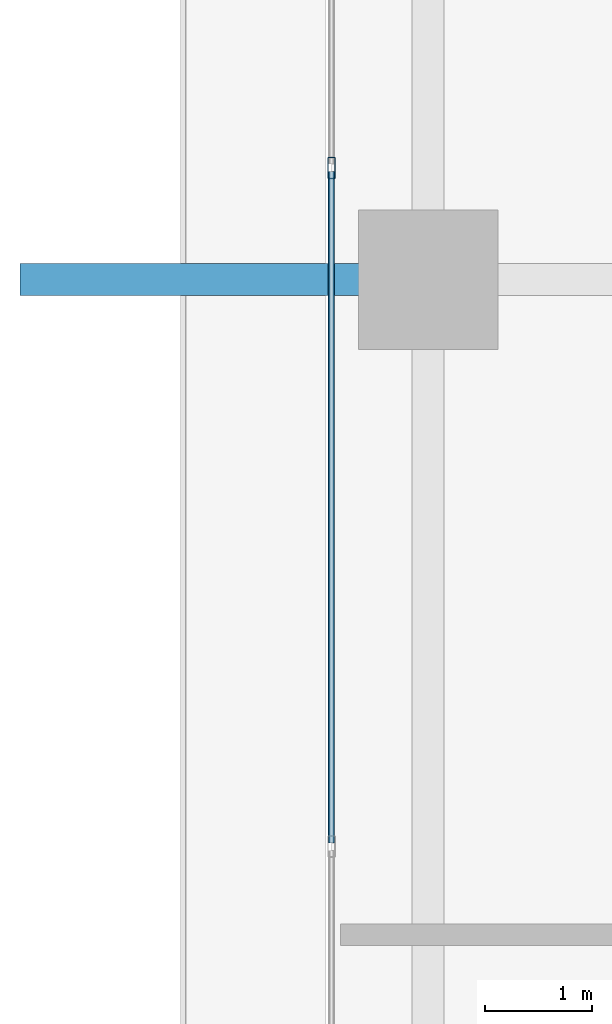
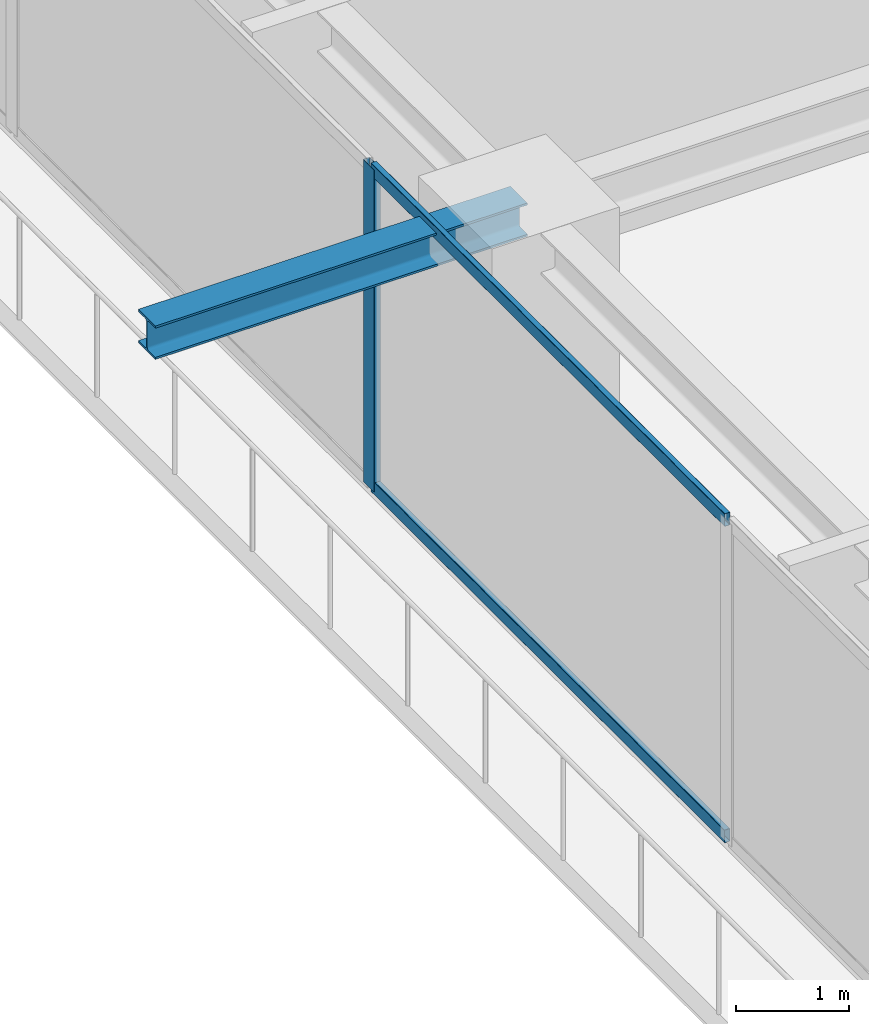
# One storey, part 6 of 34: 3 members, 1 beam, 1 element without a shape of its own.
"""IFC4 building model written with IfcOpenShell, lengths in metres."""

from ifc_helpers import new_model, si_unit, direction, frame, origin, origin_2d, place, context, subcontext, project, spatial, hollow_rectangle, i_section, extrude, source, transform, mapped, material, layer, layer_set, material_profile, profile_set, type_object, element, aggregate, save


model = new_model("IFC4")

# Units and contexts
model_context = context("Model", 3, precision=1e-05, world=origin(), true_north=direction((0.0, 1.0)))
body_context = subcontext(model_context, "Body", "Model", "MODEL_VIEW")
ifc_project = project(units=[si_unit("LENGTHUNIT", "METRE"), si_unit("AREAUNIT", "SQUARE_METRE"), si_unit("VOLUMEUNIT", "CUBIC_METRE"), si_unit("PLANEANGLEUNIT", "RADIAN"), si_unit("MASSUNIT", "GRAM", prefix="KILO")], contexts=[model_context])

# Site, building, storey
site_placement = place(None, origin())
site = spatial("IfcSite", under=ifc_project, at=site_placement, CompositionType="ELEMENT")
building_placement = place(site_placement, origin())
building = spatial("IfcBuilding", under=site, at=building_placement, Name="Serunith Strait Residences", CompositionType="ELEMENT")
storey_placement = place(building_placement, frame((0.0, 0.0, 180.14990234375)))
storey = spatial("IfcBuildingStorey", under=building, at=storey_placement, Name="L45", CompositionType="ELEMENT", Elevation=180.14990234375)

# Beam
ifc_material_1 = material(Name="Steel S355J2", Category="steel")
ifc_material_profile_1 = material_profile(ifc_material_1, i_section(OverallWidth=0.300048828125, OverallDepth=0.360107421875, WebThickness=0.012451171875, FlangeThickness=0.0224609375, FilletRadius=0.027099609375, at=origin_2d()), Name="HEB 360")
ifc_profile_set_1 = profile_set([ifc_material_profile_1], Name="Steel S355J2")
beam_type = type_object("IfcBeamType", Name="BM-HEB360", PredefinedType="BEAM", material=ifc_profile_set_1)
shared_shape_1 = source(origin(), body_context, "Body", "SweptSolid", [
    extrude(i_section(OverallWidth=0.300048828125, OverallDepth=0.360107421875, WebThickness=0.012451171875, FlangeThickness=0.0224609375, FilletRadius=0.027099609375, at=origin_2d()), origin(), (0.0, 0.0, 1.0), 3.800048828125),
])
beam_placement = place(storey_placement, frame((8.699951171875, 21.0, 3.277099609375), z_axis=(-1.0, 0.0, 0.0), x_axis=(0.0, -1.0, 0.0)))
element("IfcBeam", 1, at=beam_placement, inside=storey, type_object=beam_type, Name="L46 Cantilevered Balcony Rib TC-W2", PredefinedType="BEAM", context=body_context, shape_type="MappedRepresentation", body=[
    mapped(shared_shape_1, transform((0.0, 0.0, 0.0), scale=1.0)),
])

# Curtain wall, members
ifc_material_2 = material(Name="Pale-Champagne Anodised Aluminium", Category="aluminium")
ifc_layer = layer(ifc_material_2, 0.199951171875, Name="Pale-Champagne Anodised Aluminium")
ifc_layer_set = layer_set([ifc_layer], Name="Pale-Champagne Anodised Aluminium")
curtain_wall_type = type_object("IfcCurtainWallType", Name="CW-SYS2", PredefinedType="NOTDEFINED", material=ifc_layer_set)
curtain_wall_placement = place(storey_placement, origin())
curtain_wall = element("IfcCurtainWall", 2, at=curtain_wall_placement, inside=storey, type_object=curtain_wall_type, Name="L45 W Unitised Fritted Curtain Wall", PredefinedType="NOTDEFINED")
ifc_material_profile_2 = material_profile(ifc_material_2, hollow_rectangle(XDim=0.070068359375, YDim=0.199951171875, WallThickness=0.00390625, InnerFilletRadius=0.006103515625, OuterFilletRadius=0.010009765625, at=origin_2d()), Name="ALU 200x70x4")
ifc_profile_set_2 = profile_set([ifc_material_profile_2], Name="Pale-Champagne Anodised Aluminium")
member_type_1 = type_object("IfcMemberType", Name="CW-SYS2-MULL", PredefinedType="MULLION", material=ifc_profile_set_2)
shared_shape_2 = source(origin(), body_context, "Body", "SweptSolid", [
    extrude(hollow_rectangle(XDim=0.070068359375, YDim=0.199951171875, WallThickness=0.00390625, InnerFilletRadius=0.006103515625, OuterFilletRadius=0.010009765625, at=origin_2d()), origin(), (0.0, 0.0, 1.0), 3.47509765625),
])
member_1_placement = place(storey_placement, frame((7.800048828125, 22.0400390625, 0.0), z_axis=(0.0, 0.0, 1.0), x_axis=(1.0, 0.0, 0.0)))
member_1 = element("IfcMember", 3, at=member_1_placement, type_object=member_type_1, Name="CW-2 mullion 4", PredefinedType="MULLION", context=body_context, shape_type="MappedRepresentation", body=[
    mapped(shared_shape_2, transform((0.0, 0.0, 0.0), scale=1.0)),
])
ifc_material_profile_3 = material_profile(ifc_material_2, hollow_rectangle(XDim=0.06005859375, YDim=0.139892578125, WallThickness=0.00341796875, InnerFilletRadius=0.00537109375, OuterFilletRadius=0.0087890625, at=origin_2d()), Name="ALU 140x60x3.5")
ifc_profile_set_3 = profile_set([ifc_material_profile_3], Name="Pale-Champagne Anodised Aluminium")
member_type_2 = type_object("IfcMemberType", Name="CW-SYS2-TRAN", PredefinedType="USERDEFINED", material=ifc_profile_set_3)
shared_shape_3 = source(origin(), body_context, "Body", "SweptSolid", [
    extrude(hollow_rectangle(XDim=0.06005859375, YDim=0.139892578125, WallThickness=0.00341796875, InnerFilletRadius=0.00537109375, OuterFilletRadius=0.0087890625, at=origin_2d()), origin(), (0.0, 0.0, 1.0), 6.25),
])
member_2_placement = place(storey_placement, frame((7.800048828125, 22.0048828125, 0.030029296875), z_axis=(0.0, -1.0, 0.0), x_axis=(1.0, 0.0, 0.0)))
member_2 = element("IfcMember", 4, at=member_2_placement, type_object=member_type_2, Name="CW-2 transom 4.1", ObjectType="TRANSOM", PredefinedType="USERDEFINED", context=body_context, shape_type="MappedRepresentation", body=[
    mapped(shared_shape_3, transform((0.0, 0.0, 0.0), scale=1.0)),
])
member_3_placement = place(storey_placement, frame((7.800048828125, 22.0048828125, 3.445068359375), z_axis=(0.0, -1.0, 0.0), x_axis=(1.0, 0.0, 0.0)))
member_3 = element("IfcMember", 5, at=member_3_placement, type_object=member_type_2, Name="CW-2 transom 4.2", ObjectType="TRANSOM", PredefinedType="USERDEFINED", context=body_context, shape_type="MappedRepresentation", body=[
    mapped(shared_shape_3, transform((0.0, 0.0, 0.0), scale=1.0)),
])
aggregate(curtain_wall, [member_1, member_2, member_3])

save(model, "model.ifc")
